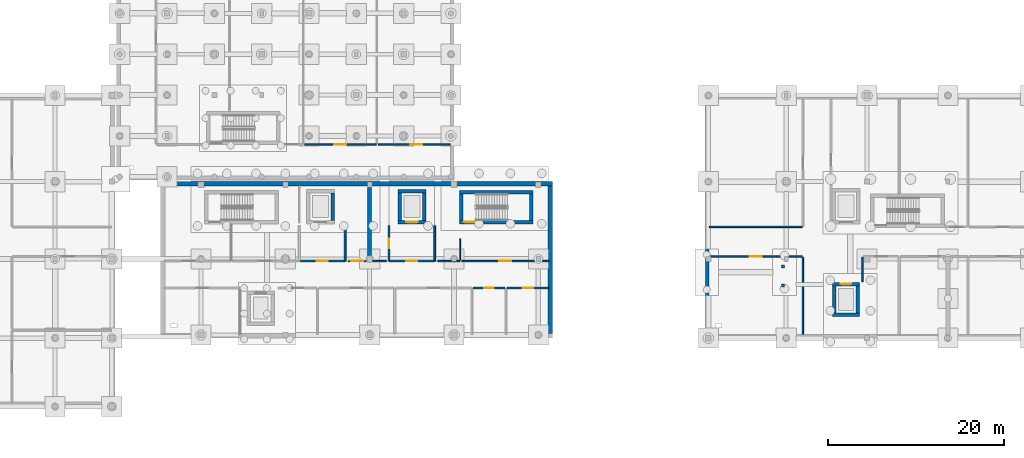
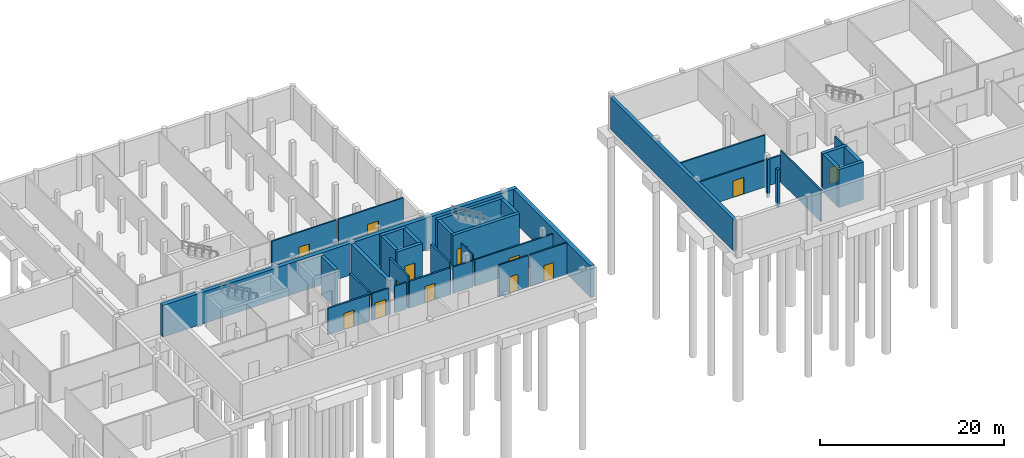
# One storey, part 8 of 14: 37 walls, 13 doors, 13 openings.
"""IFC4 building model written with IfcOpenShell, lengths in metres."""

from ifc_helpers import new_model, si_unit, direction, frame, frame_2d, origin, place, context, subcontext, project, spatial, rectangle, extrude, material, layer, layer_set, type_object, element, fill, save


model = new_model("IFC4")

# Units and contexts
model_context = context("Model", 3, precision=1e-05, world=origin(), true_north=direction((0.0, 1.0)))
body_context = subcontext(model_context, "Body", "Model", "MODEL_VIEW")
ifc_project = project(units=[si_unit("LENGTHUNIT", "METRE"), si_unit("AREAUNIT", "SQUARE_METRE"), si_unit("VOLUMEUNIT", "CUBIC_METRE"), si_unit("PLANEANGLEUNIT", "RADIAN"), si_unit("MASSUNIT", "GRAM", prefix="KILO")], contexts=[model_context])

# Site, building, storey
site_placement = place(None, origin())
site = spatial("IfcSite", under=ifc_project, at=site_placement, CompositionType="ELEMENT")
building_placement = place(site_placement, origin())
building = spatial("IfcBuilding", under=site, at=building_placement, Name="Birchvale Park Specialist Clinic", CompositionType="ELEMENT")
storey_placement = place(building_placement, frame((0.0, 0.0, -4.5)))
storey = spatial("IfcBuildingStorey", under=building, at=storey_placement, Name="B1", CompositionType="ELEMENT", Elevation=-4.5)

# Wall, opening, door
ifc_material_1 = material(Name="Concrete C40/50", Category="concrete")
ifc_layer_1 = layer(ifc_material_1, 0.39990234375)
ifc_layer_set_1 = layer_set([ifc_layer_1], Name="Concrete C40/50")
wall_type_1 = type_object("IfcWallType", Name="WL-CW-120", PredefinedType="SHEAR", material=ifc_layer_set_1)
wall_1_placement = place(storey_placement, frame((90.800048828125, 30.0, -0.550048828125), z_axis=(0.0, 0.0, 1.0), x_axis=(1.0, 0.0, 0.0)))
wall_1 = element("IfcWall", 1, at=wall_1_placement, inside=storey, type_object=wall_type_1, Name="B1 stair ST5 EI 120 enclosure wall (south)", PredefinedType="SHEAR", context=body_context, shape_type="SweptSolid", body=[
    extrude(rectangle(XDim=8.39990234375, YDim=0.39990234375, at=frame_2d((4.199951171875, 0.0))), origin(), (0.0, 0.0, 1.0), 4.77001953125),
])
opening_1_placement = place(wall_1_placement, frame((0.52001953125, 0.0, 0.550048828125)))
opening_1 = element("IfcOpeningElement", 2, at=opening_1_placement, cuts=wall_1, Name="Opening ID-FD60", PredefinedType="OPENING", context=body_context, shape_type="SweptSolid", body=[
    extrude(rectangle(XDim=1.25, YDim=2.199951171875, at=frame_2d((0.625, 1.10009765625))), frame((0.0, 0.2099609375, 0.0), z_axis=(0.0, -1.0, 0.0), x_axis=(1.0, 0.0, 0.0)), (0.0, 0.0, 1.0), 0.419921875),
])
ifc_material_2 = material(Name="Solid-core birch veneer and anodised aluminium", Category="aluminium")
door_type_1 = type_object("IfcDoorType", Name="DR-ID-FD60", OperationType="NOTDEFINED", PredefinedType="DOOR", material=ifc_material_2)
door_1_placement = place(opening_1_placement, origin())
door_1 = element("IfcDoor", 3, at=door_1_placement, inside=storey, type_object=door_type_1, Name="B1 stair ST5 fire door", OperationType="SINGLE_SWING_LEFT", OverallHeight=2.199951171875, OverallWidth=1.25, PredefinedType="DOOR", context=body_context, shape_type="SweptSolid", body=[
    extrude(rectangle(XDim=1.25, YDim=2.199951171875, at=frame_2d((0.625, 1.10009765625))), frame((0.0, 0.02490234375, 0.0), z_axis=(0.0, -1.0, 0.0), x_axis=(1.0, 0.0, 0.0)), (0.0, 0.0, 1.0), 0.050048828125),
])
fill(opening_1, door_1)

# Walls
wall_2_placement = place(storey_placement, frame((99.199951171875, 33.39990234375, -0.550048828125), z_axis=(0.0, 0.0, 1.0), x_axis=(-1.0, 0.0, 0.0)))
element("IfcWall", 4, at=wall_2_placement, inside=storey, type_object=wall_type_1, Name="B1 stair ST5 EI 120 enclosure wall (north)", PredefinedType="SHEAR", context=body_context, shape_type="SweptSolid", body=[
    extrude(rectangle(XDim=8.39990234375, YDim=0.39990234375, at=frame_2d((4.199951171875, 0.0))), origin(), (0.0, 0.0, 1.0), 4.77001953125),
])
for number, where, z_axis, x_axis, name in (
    (5, (91.0, 30.199951171875, -0.550048828125), (0.0, 0.0, 1.0), (0.0, 1.0, 0.0), "B1 stair ST5 EI 120 enclosure wall (west)"),
    (6, (99.0, 33.199951171875, -0.550048828125), (0.0, 0.0, 1.0), (0.0, -1.0, 0.0), "B1 stair ST5 EI 120 enclosure wall (east)"),
):
    element("IfcWall", number, at=place(storey_placement, frame(where, z_axis=z_axis, x_axis=x_axis)), inside=storey, type_object=wall_type_1, Name=name, PredefinedType="SHEAR", context=body_context, shape_type="SweptSolid", body=[
        extrude(rectangle(XDim=3.0, YDim=0.39990234375, at=frame_2d((1.5, 0.0))), origin(), (0.0, 0.0, 1.0), 4.77001953125),
    ])
wall_3_placement = place(storey_placement, frame((76.39990234375, 33.300048828125, -0.550048828125), z_axis=(0.0, 0.0, 1.0), x_axis=(0.0, -1.0, 0.0)))
element("IfcWall", 7, at=wall_3_placement, inside=storey, type_object=wall_type_1, Name="B1 lift LF1 shaft wall (east)", PredefinedType="SHEAR", context=body_context, shape_type="SweptSolid", body=[
    extrude(rectangle(XDim=3.10009765625, YDim=0.39990234375, at=frame_2d((1.550048828125, 0.0))), origin(), (0.0, 0.0, 1.0), 5.050048828125),
])

# Wall, opening, door
wall_4_placement = place(storey_placement, frame((83.800048828125, 30.0, -0.550048828125), z_axis=(0.0, 0.0, 1.0), x_axis=(1.0, 0.0, 0.0)))
wall_4 = element("IfcWall", 8, at=wall_4_placement, inside=storey, type_object=wall_type_1, Name="B1 lift LF2 shaft wall (south)", PredefinedType="SHEAR", context=body_context, shape_type="SweptSolid", body=[
    extrude(rectangle(XDim=3.199951171875, YDim=0.39990234375, at=frame_2d((1.60009765625, 0.0))), origin(), (0.0, 0.0, 1.0), 5.050048828125),
])
opening_2_placement = place(wall_4_placement, frame((0.949951171875, 0.0, 0.550048828125)))
opening_2 = element("IfcOpeningElement", 9, at=opening_2_placement, cuts=wall_4, Name="Opening LD-02", PredefinedType="OPENING", context=body_context, shape_type="SweptSolid", body=[
    extrude(rectangle(XDim=1.300048828125, YDim=2.25, at=frame_2d((0.64990234375, 1.125))), frame((0.0, 0.2099609375, 0.0), z_axis=(0.0, -1.0, 0.0), x_axis=(1.0, 0.0, 0.0)), (0.0, 0.0, 1.0), 0.419921875),
])
door_type_2 = type_object("IfcDoorType", Name="DR-LD-02", OperationType="DOUBLE_DOOR_SLIDING", PredefinedType="DOOR", material=ifc_material_2)
door_2_placement = place(opening_2_placement, origin())
door_2 = element("IfcDoor", 10, at=door_2_placement, inside=storey, type_object=door_type_2, Name="B1 lift LF2 sliding landing door", OperationType="DOUBLE_DOOR_SLIDING", OverallHeight=2.25, OverallWidth=1.300048828125, PredefinedType="DOOR", context=body_context, shape_type="SweptSolid", body=[
    extrude(rectangle(XDim=1.300048828125, YDim=2.25, at=frame_2d((0.64990234375, 1.125))), frame((0.0, 0.02490234375, 0.0), z_axis=(0.0, -1.0, 0.0), x_axis=(1.0, 0.0, 0.0)), (0.0, 0.0, 1.0), 0.050048828125),
])
fill(opening_2, door_2)

# Walls
wall_5_placement = place(storey_placement, frame((87.0, 33.5, -0.550048828125), z_axis=(0.0, 0.0, 1.0), x_axis=(-1.0, 0.0, 0.0)))
element("IfcWall", 11, at=wall_5_placement, inside=storey, type_object=wall_type_1, Name="B1 lift LF2 shaft wall (north)", PredefinedType="SHEAR", context=body_context, shape_type="SweptSolid", body=[
    extrude(rectangle(XDim=3.199951171875, YDim=0.39990234375, at=frame_2d((1.60009765625, 0.0))), origin(), (0.0, 0.0, 1.0), 5.050048828125),
])
for number, where, z_axis, x_axis, name in (
    (12, (84.0, 30.199951171875, -0.550048828125), (0.0, 0.0, 1.0), (0.0, 1.0, 0.0), "B1 lift LF2 shaft wall (west)"),
    (13, (86.800048828125, 33.300048828125, -0.550048828125), (0.0, 0.0, 1.0), (0.0, -1.0, 0.0), "B1 lift LF2 shaft wall (east)"),
    (14, (133.25, 19.449951171875, -0.550048828125), (0.0, 0.0, 1.0), (1.0, 0.0, 0.0), "B1 lift LP4 shaft wall (south)"),
):
    element("IfcWall", number, at=place(storey_placement, frame(where, z_axis=z_axis, x_axis=x_axis)), inside=storey, type_object=wall_type_1, Name=name, PredefinedType="SHEAR", context=body_context, shape_type="SweptSolid", body=[
        extrude(rectangle(XDim=3.10009765625, YDim=0.39990234375, at=frame_2d((1.550048828125, 0.0))), origin(), (0.0, 0.0, 1.0), 5.050048828125),
    ])

# Wall, opening, door
wall_6_placement = place(storey_placement, frame((136.35009765625, 22.949951171875, -0.550048828125), z_axis=(0.0, 0.0, 1.0), x_axis=(-1.0, 0.0, 0.0)))
wall_6 = element("IfcWall", 15, at=wall_6_placement, inside=storey, type_object=wall_type_1, Name="B1 lift LP4 shaft wall (north)", PredefinedType="SHEAR", context=body_context, shape_type="SweptSolid", body=[
    extrude(rectangle(XDim=3.10009765625, YDim=0.39990234375, at=frame_2d((1.550048828125, 0.0))), origin(), (0.0, 0.0, 1.0), 5.050048828125),
])
opening_3_placement = place(wall_6_placement, frame((0.949951171875, 0.0, 0.550048828125)))
opening_3 = element("IfcOpeningElement", 16, at=opening_3_placement, cuts=wall_6, Name="Opening LD-01", PredefinedType="OPENING", context=body_context, shape_type="SweptSolid", body=[
    extrude(rectangle(XDim=1.199951171875, YDim=2.199951171875, at=frame_2d((0.60009765625, 1.10009765625))), frame((0.0, 0.2099609375, 0.0), z_axis=(0.0, -1.0, 0.0), x_axis=(1.0, 0.0, 0.0)), (0.0, 0.0, 1.0), 0.419921875),
])
door_type_3 = type_object("IfcDoorType", Name="DR-LD-01", OperationType="DOUBLE_DOOR_SLIDING", PredefinedType="DOOR", material=ifc_material_2)
door_3_placement = place(opening_3_placement, origin())
door_3 = element("IfcDoor", 17, at=door_3_placement, inside=storey, type_object=door_type_3, Name="B1 lift LP4 sliding landing door", OperationType="DOUBLE_DOOR_SLIDING", OverallHeight=2.199951171875, OverallWidth=1.199951171875, PredefinedType="DOOR", context=body_context, shape_type="SweptSolid", body=[
    extrude(rectangle(XDim=1.199951171875, YDim=2.199951171875, at=frame_2d((0.60009765625, 1.10009765625))), frame((0.0, 0.02490234375, 0.0), z_axis=(0.0, -1.0, 0.0), x_axis=(1.0, 0.0, 0.0)), (0.0, 0.0, 1.0), 0.050048828125),
])
fill(opening_3, door_3)

# Walls
for number, where, z_axis, x_axis, name in (
    (18, (133.449951171875, 19.64990234375, -0.550048828125), (0.0, 0.0, 1.0), (0.0, 1.0, 0.0), "B1 lift LP4 shaft wall (west)"),
    (19, (136.14990234375, 22.75, -0.550048828125), (0.0, 0.0, 1.0), (0.0, -1.0, 0.0), "B1 lift LP4 shaft wall (east)"),
):
    element("IfcWall", number, at=place(storey_placement, frame(where, z_axis=z_axis, x_axis=x_axis)), inside=storey, type_object=wall_type_1, Name=name, PredefinedType="SHEAR", context=body_context, shape_type="SweptSolid", body=[
        extrude(rectangle(XDim=3.10009765625, YDim=0.39990234375, at=frame_2d((1.550048828125, 0.0))), origin(), (0.0, 0.0, 1.0), 5.050048828125),
    ])
ifc_material_3 = material(Name="Acoustic gypsum board on metal framing")
ifc_layer_2 = layer(ifc_material_3, 0.139892578125)
ifc_layer_set_2 = layer_set([ifc_layer_2], Name="Acoustic gypsum board on metal framing")
wall_type_2 = type_object("IfcWallType", Name="WL-IW-03", PredefinedType="PARTITIONING", material=ifc_layer_set_2)
wall_7_placement = place(storey_placement, frame((90.919921875, 28.1201171875, 0.0), z_axis=(0.0, 0.0, 1.0), x_axis=(0.0, -1.0, 0.0)))
element("IfcWall", 20, at=wall_7_placement, inside=storey, type_object=wall_type_2, Name="V4 B1 clinical partition 46", PredefinedType="PARTITIONING", context=body_context, shape_type="SweptSolid", body=[
    extrude(rectangle(XDim=2.490234375, YDim=0.139892578125, at=frame_2d((1.2451171875, 0.0))), origin(), (0.0, 0.0, 1.0), 4.219970703125),
])

# Wall, opening, door
ifc_layer_3 = layer(ifc_material_3, 0.219970703125)
ifc_layer_set_3 = layer_set([ifc_layer_3], Name="Acoustic gypsum board on metal framing")
wall_type_3 = type_object("IfcWallType", Name="WL-IW-120", PredefinedType="PARTITIONING", material=ifc_layer_set_3)
wall_8_placement = place(storey_placement, frame((72.60009765625, 25.550048828125, 0.0), z_axis=(0.0, 0.0, 1.0), x_axis=(1.0, 0.0, 0.0)))
wall_8 = element("IfcWall", 21, at=wall_8_placement, inside=storey, type_object=wall_type_3, Name="B1 firefighting lift lobby K4 EI 120 wall (south)", PredefinedType="PARTITIONING", context=body_context, shape_type="SweptSolid", body=[
    extrude(rectangle(XDim=5.199951171875, YDim=0.219970703125, at=frame_2d((2.60009765625, 0.0))), origin(), (0.0, 0.0, 1.0), 3.554931640625),
])
opening_4_placement = place(wall_8_placement, frame((1.97509765625, 0.0, 0.0)))
opening_4 = element("IfcOpeningElement", 22, at=opening_4_placement, cuts=wall_8, Name="Opening ID-FD60", PredefinedType="OPENING", context=body_context, shape_type="SweptSolid", body=[
    extrude(rectangle(XDim=1.25, YDim=2.199951171875, at=frame_2d((0.625, 1.10009765625))), frame((0.0, 0.1201171875, 0.0), z_axis=(0.0, -1.0, 0.0), x_axis=(1.0, 0.0, 0.0)), (0.0, 0.0, 1.0), 0.239990234375),
])
door_4_placement = place(opening_4_placement, origin())
door_4 = element("IfcDoor", 23, at=door_4_placement, inside=storey, type_object=door_type_1, Name="B1 firefighting lobby K4 fire door", OperationType="SINGLE_SWING_RIGHT", OverallHeight=2.199951171875, OverallWidth=1.25, PredefinedType="DOOR", context=body_context, shape_type="SweptSolid", body=[
    extrude(rectangle(XDim=1.25, YDim=2.199951171875, at=frame_2d((0.625, 1.10009765625))), frame((0.0, 0.02490234375, 0.0), z_axis=(0.0, -1.0, 0.0), x_axis=(1.0, 0.0, 0.0)), (0.0, 0.0, 1.0), 0.050048828125),
])
fill(opening_4, door_4)

# Wall
wall_9_placement = place(storey_placement, frame((77.800048828125, 25.550048828125, 0.0), z_axis=(0.0, 0.0, 1.0), x_axis=(0.0, 1.0, 0.0)))
element("IfcWall", 24, at=wall_9_placement, inside=storey, type_object=wall_type_3, Name="B1 firefighting lift lobby K4 EI 120 wall (east)", PredefinedType="PARTITIONING", context=body_context, shape_type="SweptSolid", body=[
    extrude(rectangle(XDim=4.050048828125, YDim=0.219970703125, at=frame_2d((2.02490234375, 0.0))), origin(), (0.0, 0.0, 1.0), 3.943115234375),
])

# Wall, opening, door
wall_10_placement = place(storey_placement, frame((82.800048828125, 29.60009765625, 0.0), z_axis=(0.0, 0.0, 1.0), x_axis=(0.0, -1.0, 0.0)))
wall_10 = element("IfcWall", 25, at=wall_10_placement, inside=storey, type_object=wall_type_3, Name="B1 firefighting lift lobby K5 EI 120 wall (west)", PredefinedType="PARTITIONING", context=body_context, shape_type="SweptSolid", body=[
    extrude(rectangle(XDim=4.050048828125, YDim=0.219970703125, at=frame_2d((2.02490234375, 0.0))), origin(), (0.0, 0.0, 1.0), 4.219970703125),
])
opening_5_placement = place(wall_10_placement, frame((1.485107421875, 0.0, 0.0)))
opening_5 = element("IfcOpeningElement", 26, at=opening_5_placement, cuts=wall_10, Name="Opening ID-03", PredefinedType="OPENING", context=body_context, shape_type="SweptSolid", body=[
    extrude(rectangle(XDim=1.080078125, YDim=2.199951171875, at=frame_2d((0.5400390625, 1.10009765625))), frame((0.0, 0.1201171875, 0.0), z_axis=(0.0, -1.0, 0.0), x_axis=(1.0, 0.0, 0.0)), (0.0, 0.0, 1.0), 0.239990234375),
])
door_type_4 = type_object("IfcDoorType", Name="DR-ID-03", OperationType="NOTDEFINED", PredefinedType="DOOR", material=ifc_material_2)
door_5_placement = place(opening_5_placement, origin())
door_5 = element("IfcDoor", 27, at=door_5_placement, inside=storey, type_object=door_type_4, Name="V4 B1 clinical suite door 121", OperationType="SINGLE_SWING_LEFT", OverallHeight=2.199951171875, OverallWidth=1.080078125, PredefinedType="DOOR", context=body_context, shape_type="SweptSolid", body=[
    extrude(rectangle(XDim=1.080078125, YDim=2.199951171875, at=frame_2d((0.5400390625, 1.10009765625))), frame((0.0, 0.02490234375, 0.0), z_axis=(0.0, -1.0, 0.0), x_axis=(1.0, 0.0, 0.0)), (0.0, 0.0, 1.0), 0.050048828125),
])
fill(opening_5, door_5)

wall_11_placement = place(storey_placement, frame((82.800048828125, 25.550048828125, 0.0), z_axis=(0.0, 0.0, 1.0), x_axis=(1.0, 0.0, 0.0)))
wall_11 = element("IfcWall", 28, at=wall_11_placement, inside=storey, type_object=wall_type_3, Name="B1 firefighting lift lobby K5 EI 120 wall (south)", PredefinedType="PARTITIONING", context=body_context, shape_type="SweptSolid", body=[
    extrude(rectangle(XDim=5.199951171875, YDim=0.219970703125, at=frame_2d((2.60009765625, 0.0))), origin(), (0.0, 0.0, 1.0), 3.554931640625),
])
opening_6_placement = place(wall_11_placement, frame((1.97509765625, 0.0, 0.0)))
opening_6 = element("IfcOpeningElement", 29, at=opening_6_placement, cuts=wall_11, Name="Opening ID-FD60", PredefinedType="OPENING", context=body_context, shape_type="SweptSolid", body=[
    extrude(rectangle(XDim=1.25, YDim=2.199951171875, at=frame_2d((0.625, 1.10009765625))), frame((0.0, 0.1201171875, 0.0), z_axis=(0.0, -1.0, 0.0), x_axis=(1.0, 0.0, 0.0)), (0.0, 0.0, 1.0), 0.239990234375),
])
door_6_placement = place(opening_6_placement, origin())
door_6 = element("IfcDoor", 30, at=door_6_placement, inside=storey, type_object=door_type_1, Name="B1 firefighting lobby K5 fire door", OperationType="SINGLE_SWING_LEFT", OverallHeight=2.199951171875, OverallWidth=1.25, PredefinedType="DOOR", context=body_context, shape_type="SweptSolid", body=[
    extrude(rectangle(XDim=1.25, YDim=2.199951171875, at=frame_2d((0.625, 1.10009765625))), frame((0.0, 0.02490234375, 0.0), z_axis=(0.0, -1.0, 0.0), x_axis=(1.0, 0.0, 0.0)), (0.0, 0.0, 1.0), 0.050048828125),
])
fill(opening_6, door_6)

# Wall
wall_12_placement = place(storey_placement, frame((88.0, 25.550048828125, 0.0), z_axis=(0.0, 0.0, 1.0), x_axis=(0.0, 1.0, 0.0)))
element("IfcWall", 31, at=wall_12_placement, inside=storey, type_object=wall_type_3, Name="B1 firefighting lift lobby K5 EI 120 wall (east)", PredefinedType="PARTITIONING", context=body_context, shape_type="SweptSolid", body=[
    extrude(rectangle(XDim=4.050048828125, YDim=0.219970703125, at=frame_2d((2.02490234375, 0.0))), origin(), (0.0, 0.0, 1.0), 4.219970703125),
])

# Wall, opening, door
ifc_layer_4 = layer(ifc_material_3, 0.179931640625)
ifc_layer_set_4 = layer_set([ifc_layer_4], Name="Acoustic gypsum board on metal framing")
wall_type_4 = type_object("IfcWallType", Name="WL-IW-60", PredefinedType="PARTITIONING", material=ifc_layer_set_4)
wall_13_placement = place(storey_placement, frame((81.3349609375, 38.85009765625, 0.0), z_axis=(0.0, 0.0, 1.0), x_axis=(-1.0, 0.0, 0.0)))
wall_13 = element("IfcWall", 32, at=wall_13_placement, inside=storey, type_object=wall_type_4, Name="V1 B1 clinical partition 7", PredefinedType="PARTITIONING", context=body_context, shape_type="SweptSolid", body=[
    extrude(rectangle(XDim=8.14501953125, YDim=0.179931640625, at=frame_2d((4.072509765625, 0.0))), origin(), (0.0, 0.0, 1.0), 4.179931640625),
])
opening_7_placement = place(wall_13_placement, frame((3.3974609375, 0.0, 0.0)))
opening_7 = element("IfcOpeningElement", 33, at=opening_7_placement, cuts=wall_13, Name="Opening ID-FD30", PredefinedType="OPENING", context=body_context, shape_type="SweptSolid", body=[
    extrude(rectangle(XDim=1.35009765625, YDim=2.199951171875, at=frame_2d((0.675048828125, 1.10009765625))), frame((0.0, 0.10009765625, 0.0), z_axis=(0.0, -1.0, 0.0), x_axis=(1.0, 0.0, 0.0)), (0.0, 0.0, 1.0), 0.199951171875),
])
door_type_5 = type_object("IfcDoorType", Name="DR-ID-FD30", OperationType="NOTDEFINED", PredefinedType="DOOR", material=ifc_material_2)
door_7_placement = place(opening_7_placement, origin())
door_7 = element("IfcDoor", 34, at=door_7_placement, inside=storey, type_object=door_type_5, Name="B1 Central MEP Plant Room door", OperationType="SINGLE_SWING_RIGHT", OverallHeight=2.199951171875, OverallWidth=1.35009765625, PredefinedType="DOOR", context=body_context, shape_type="SweptSolid", body=[
    extrude(rectangle(XDim=1.35009765625, YDim=2.199951171875, at=frame_2d((0.675048828125, 1.10009765625))), frame((0.0, 0.02490234375, 0.0), z_axis=(0.0, -1.0, 0.0), x_axis=(1.0, 0.0, 0.0)), (0.0, 0.0, 1.0), 0.050048828125),
])
fill(opening_7, door_7)

wall_14_placement = place(storey_placement, frame((89.760009765625, 38.85009765625, 0.0), z_axis=(0.0, 0.0, 1.0), x_axis=(-1.0, 0.0, 0.0)))
wall_14 = element("IfcWall", 35, at=wall_14_placement, inside=storey, type_object=wall_type_4, Name="V1 B1 clinical partition 8", PredefinedType="PARTITIONING", context=body_context, shape_type="SweptSolid", body=[
    extrude(rectangle(XDim=8.18505859375, YDim=0.179931640625, at=frame_2d((4.092529296875, 0.0))), origin(), (0.0, 0.0, 1.0), 4.179931640625),
])
opening_8_placement = place(wall_14_placement, frame((3.16748046875, 0.0, 0.0)))
opening_8 = element("IfcOpeningElement", 36, at=opening_8_placement, cuts=wall_14, Name="Opening ID-FD30", PredefinedType="OPENING", context=body_context, shape_type="SweptSolid", body=[
    extrude(rectangle(XDim=1.35009765625, YDim=2.199951171875, at=frame_2d((0.675048828125, 1.10009765625))), frame((0.0, 0.10009765625, 0.0), z_axis=(0.0, -1.0, 0.0), x_axis=(1.0, 0.0, 0.0)), (0.0, 0.0, 1.0), 0.199951171875),
])
door_8_placement = place(opening_8_placement, origin())
door_8 = element("IfcDoor", 37, at=door_8_placement, inside=storey, type_object=door_type_5, Name="B1 Medical Gas Manifold Room door", OperationType="SINGLE_SWING_LEFT", OverallHeight=2.199951171875, OverallWidth=1.35009765625, PredefinedType="DOOR", context=body_context, shape_type="SweptSolid", body=[
    extrude(rectangle(XDim=1.35009765625, YDim=2.199951171875, at=frame_2d((0.675048828125, 1.10009765625))), frame((0.0, 0.02490234375, 0.0), z_axis=(0.0, -1.0, 0.0), x_axis=(1.0, 0.0, 0.0)), (0.0, 0.0, 1.0), 0.050048828125),
])
fill(opening_8, door_8)

wall_15_placement = place(storey_placement, frame((92.384033203125, 22.5, 0.0), z_axis=(0.0, 0.0, 1.0), x_axis=(1.0, 0.0, 0.0)))
wall_15 = element("IfcWall", 38, at=wall_15_placement, inside=storey, type_object=wall_type_4, Name="V4 B1 clinical partition 38", PredefinedType="PARTITIONING", context=body_context, shape_type="SweptSolid", body=[
    extrude(rectangle(XDim=3.639892578125, YDim=0.179931640625, at=frame_2d((1.81982421875, 0.0))), origin(), (0.0, 0.0, 1.0), 4.219970703125),
])
opening_9_placement = place(wall_15_placement, frame((1.280029296875, 0.0, 0.0)))
opening_9 = element("IfcOpeningElement", 39, at=opening_9_placement, cuts=wall_15, Name="Opening ID-03", PredefinedType="OPENING", context=body_context, shape_type="SweptSolid", body=[
    extrude(rectangle(XDim=1.080078125, YDim=2.199951171875, at=frame_2d((0.5400390625, 1.10009765625))), frame((0.0, 0.10009765625, 0.0), z_axis=(0.0, -1.0, 0.0), x_axis=(1.0, 0.0, 0.0)), (0.0, 0.0, 1.0), 0.199951171875),
])
door_9_placement = place(opening_9_placement, origin())
door_9 = element("IfcDoor", 40, at=door_9_placement, inside=storey, type_object=door_type_4, Name="B1 Accessible Staff WC door", OperationType="SINGLE_SWING_RIGHT", OverallHeight=2.199951171875, OverallWidth=1.080078125, PredefinedType="DOOR", context=body_context, shape_type="SweptSolid", body=[
    extrude(rectangle(XDim=1.080078125, YDim=2.199951171875, at=frame_2d((0.5400390625, 1.10009765625))), frame((0.0, 0.02490234375, 0.0), z_axis=(0.0, -1.0, 0.0), x_axis=(1.0, 0.0, 0.0)), (0.0, 0.0, 1.0), 0.050048828125),
])
fill(opening_9, door_9)

wall_16_placement = place(storey_placement, frame((96.263916015625, 22.5, 0.0), z_axis=(0.0, 0.0, 1.0), x_axis=(1.0, 0.0, 0.0)))
wall_16 = element("IfcWall", 41, at=wall_16_placement, inside=storey, type_object=wall_type_4, Name="V4 B1 clinical partition 39", PredefinedType="PARTITIONING", context=body_context, shape_type="SweptSolid", body=[
    extrude(rectangle(XDim=4.696044921875, YDim=0.179931640625, at=frame_2d((2.34814453125, 0.0))), origin(), (0.0, 0.0, 1.0), 4.219970703125),
])
opening_10_placement = place(wall_16_placement, frame((1.758056640625, 0.0, 0.0)))
opening_10 = element("IfcOpeningElement", 42, at=opening_10_placement, cuts=wall_16, Name="Opening ID-ST60", PredefinedType="OPENING", context=body_context, shape_type="SweptSolid", body=[
    extrude(rectangle(XDim=1.179931640625, YDim=2.179931640625, at=frame_2d((0.58984375, 1.08984375))), frame((0.0, 0.10009765625, 0.0), z_axis=(0.0, -1.0, 0.0), x_axis=(1.0, 0.0, 0.0)), (0.0, 0.0, 1.0), 0.199951171875),
])
door_type_6 = type_object("IfcDoorType", Name="DR-ID-ST60", OperationType="NOTDEFINED", PredefinedType="DOOR", material=ifc_material_2)
door_10_placement = place(opening_10_placement, origin())
door_10 = element("IfcDoor", 43, at=door_10_placement, inside=storey, type_object=door_type_6, Name="B1 Biomedical Equipment Store door", OperationType="SINGLE_SWING_LEFT", OverallHeight=2.179931640625, OverallWidth=1.179931640625, PredefinedType="DOOR", context=body_context, shape_type="SweptSolid", body=[
    extrude(rectangle(XDim=1.179931640625, YDim=2.179931640625, at=frame_2d((0.58984375, 1.08984375))), frame((0.0, 0.02490234375, 0.0), z_axis=(0.0, -1.0, 0.0), x_axis=(1.0, 0.0, 0.0)), (0.0, 0.0, 1.0), 0.050048828125),
])
fill(opening_10, door_10)

wall_17_placement = place(storey_placement, frame((80.239990234375, 25.550048828125, 0.0), z_axis=(0.0, 0.0, 1.0), x_axis=(-1.0, 0.0, 0.0)))
wall_17 = element("IfcWall", 44, at=wall_17_placement, inside=storey, type_object=wall_type_4, Name="V4 B1 clinical partition 44", PredefinedType="PARTITIONING", context=body_context, shape_type="SweptSolid", body=[
    extrude(rectangle(XDim=2.119873046875, YDim=0.179931640625, at=frame_2d((1.06005859375, 0.0))), origin(), (0.0, 0.0, 1.0), 3.554931640625),
])
opening_11_placement = place(wall_17_placement, frame((0.385009765625, 0.0, 0.0)))
opening_11 = element("IfcOpeningElement", 45, at=opening_11_placement, cuts=wall_17, Name="Opening ID-FD30", PredefinedType="OPENING", context=body_context, shape_type="SweptSolid", body=[
    extrude(rectangle(XDim=1.35009765625, YDim=2.199951171875, at=frame_2d((0.675048828125, 1.10009765625))), frame((0.0, 0.10009765625, 0.0), z_axis=(0.0, -1.0, 0.0), x_axis=(1.0, 0.0, 0.0)), (0.0, 0.0, 1.0), 0.199951171875),
])
door_11_placement = place(opening_11_placement, origin())
door_11 = element("IfcDoor", 46, at=door_11_placement, inside=storey, type_object=door_type_5, Name="B1 Sterile Supply Store door", OperationType="SINGLE_SWING_RIGHT", OverallHeight=2.199951171875, OverallWidth=1.35009765625, PredefinedType="DOOR", context=body_context, shape_type="SweptSolid", body=[
    extrude(rectangle(XDim=1.35009765625, YDim=2.199951171875, at=frame_2d((0.675048828125, 1.10009765625))), frame((0.0, 0.02490234375, 0.0), z_axis=(0.0, -1.0, 0.0), x_axis=(1.0, 0.0, 0.0)), (0.0, 0.0, 1.0), 0.050048828125),
])
fill(opening_11, door_11)

# Walls
wall_18_placement = place(storey_placement, frame((82.47998046875, 25.550048828125, 0.0), z_axis=(0.0, 0.0, 1.0), x_axis=(-1.0, 0.0, 0.0)))
element("IfcWall", 47, at=wall_18_placement, inside=storey, type_object=wall_type_4, Name="V4 B1 clinical partition 45", PredefinedType="PARTITIONING", context=body_context, shape_type="SweptSolid", body=[
    extrude(rectangle(XDim=1.52001953125, YDim=0.179931640625, at=frame_2d((0.760009765625, 0.0))), origin(), (0.0, 0.0, 1.0), 3.554931640625),
])
wall_19_placement = place(storey_placement, frame((90.840087890625, 25.550048828125, 0.0), z_axis=(0.0, 0.0, 1.0), x_axis=(-1.0, 0.0, 0.0)))
element("IfcWall", 48, at=wall_19_placement, inside=storey, type_object=wall_type_4, Name="V4 B1 clinical partition 47", PredefinedType="PARTITIONING", context=body_context, shape_type="SweptSolid", body=[
    extrude(rectangle(XDim=2.52001953125, YDim=0.179931640625, at=frame_2d((1.260009765625, 0.0))), origin(), (0.0, 0.0, 1.0), 3.52490234375),
])

# Wall, opening, door
wall_20_placement = place(storey_placement, frame((100.9599609375, 25.550048828125, 0.0), z_axis=(0.0, 0.0, 1.0), x_axis=(-1.0, 0.0, 0.0)))
wall_20 = element("IfcWall", 49, at=wall_20_placement, inside=storey, type_object=wall_type_4, Name="V4 B1 clinical partition 48", PredefinedType="PARTITIONING", context=body_context, shape_type="SweptSolid", body=[
    extrude(rectangle(XDim=9.8798828125, YDim=0.179931640625, at=frame_2d((4.93994140625, 0.0))), origin(), (0.0, 0.0, 1.0), 3.52490234375),
])
opening_12_placement = place(wall_20_placement, frame((4.264892578125, 0.0, 0.0)))
opening_12 = element("IfcOpeningElement", 50, at=opening_12_placement, cuts=wall_20, Name="Opening ID-FD30", PredefinedType="OPENING", context=body_context, shape_type="SweptSolid", body=[
    extrude(rectangle(XDim=1.35009765625, YDim=2.199951171875, at=frame_2d((0.675048828125, 1.10009765625))), frame((0.0, 0.10009765625, 0.0), z_axis=(0.0, -1.0, 0.0), x_axis=(1.0, 0.0, 0.0)), (0.0, 0.0, 1.0), 0.199951171875),
])
door_12_placement = place(opening_12_placement, origin())
door_12 = element("IfcDoor", 51, at=door_12_placement, inside=storey, type_object=door_type_5, Name="B1 Medical Gas Manifold Room door", OperationType="SINGLE_SWING_RIGHT", OverallHeight=2.199951171875, OverallWidth=1.35009765625, PredefinedType="DOOR", context=body_context, shape_type="SweptSolid", body=[
    extrude(rectangle(XDim=1.35009765625, YDim=2.199951171875, at=frame_2d((0.675048828125, 1.10009765625))), frame((0.0, 0.02490234375, 0.0), z_axis=(0.0, -1.0, 0.0), x_axis=(1.0, 0.0, 0.0)), (0.0, 0.0, 1.0), 0.050048828125),
])
fill(opening_12, door_12)

wall_21_placement = place(storey_placement, frame((119.239990234375, 26.10009765625, 0.0), z_axis=(0.0, 0.0, 1.0), x_axis=(1.0, 0.0, 0.0)))
wall_21 = element("IfcWall", 52, at=wall_21_placement, inside=storey, type_object=wall_type_4, Name="V5 B1 clinical partition 49", PredefinedType="PARTITIONING", context=body_context, shape_type="SweptSolid", body=[
    extrude(rectangle(XDim=10.580078125, YDim=0.179931640625, at=frame_2d((5.2900390625, 0.0))), origin(), (0.0, 0.0, 1.0), 3.534912109375),
])
opening_13_placement = place(wall_21_placement, frame((4.614990234375, 0.0, 0.0)))
opening_13 = element("IfcOpeningElement", 53, at=opening_13_placement, cuts=wall_21, Name="Opening ID-FD30", PredefinedType="OPENING", context=body_context, shape_type="SweptSolid", body=[
    extrude(rectangle(XDim=1.35009765625, YDim=2.199951171875, at=frame_2d((0.675048828125, 1.10009765625))), frame((0.0, 0.10009765625, 0.0), z_axis=(0.0, -1.0, 0.0), x_axis=(1.0, 0.0, 0.0)), (0.0, 0.0, 1.0), 0.199951171875),
])
door_13_placement = place(opening_13_placement, origin())
door_13 = element("IfcDoor", 54, at=door_13_placement, inside=storey, type_object=door_type_5, Name="B1 Sterile Supply Store door", OperationType="SINGLE_SWING_LEFT", OverallHeight=2.199951171875, OverallWidth=1.35009765625, PredefinedType="DOOR", context=body_context, shape_type="SweptSolid", body=[
    extrude(rectangle(XDim=1.35009765625, YDim=2.199951171875, at=frame_2d((0.675048828125, 1.10009765625))), frame((0.0, 0.02490234375, 0.0), z_axis=(0.0, -1.0, 0.0), x_axis=(1.0, 0.0, 0.0)), (0.0, 0.0, 1.0), 0.050048828125),
])
fill(opening_13, door_13)

# Walls
wall_22_placement = place(storey_placement, frame((129.89990234375, 26.02001953125, 0.0), z_axis=(0.0, 0.0, 1.0), x_axis=(0.0, -1.0, 0.0)))
element("IfcWall", 55, at=wall_22_placement, inside=storey, type_object=wall_type_4, Name="V5 B1 clinical partition 50", PredefinedType="PARTITIONING", context=body_context, shape_type="SweptSolid", body=[
    extrude(rectangle(XDim=8.780029296875, YDim=0.179931640625, at=frame_2d((4.39013671875, 0.0))), origin(), (0.0, 0.0, 1.0), 4.199951171875),
])
wall_23_placement = place(storey_placement, frame((136.699951171875, 23.22998046875, 0.0), z_axis=(0.0, 0.0, 1.0), x_axis=(0.0, 1.0, 0.0)))
element("IfcWall", 56, at=wall_23_placement, inside=storey, type_object=wall_type_4, Name="V5 B1 clinical partition 51", PredefinedType="PARTITIONING", context=body_context, shape_type="SweptSolid", body=[
    extrude(rectangle(XDim=2.7900390625, YDim=0.179931640625, at=frame_2d((1.39501953125, 0.0))), origin(), (0.0, 0.0, 1.0), 3.68505859375),
])
wall_24_placement = place(storey_placement, frame((129.820068359375, 29.449951171875, 0.0), z_axis=(0.0, 0.0, 1.0), x_axis=(-1.0, 0.0, 0.0)))
element("IfcWall", 57, at=wall_24_placement, inside=storey, type_object=wall_type_4, Name="V5 B1 clinical partition 59", PredefinedType="PARTITIONING", context=body_context, shape_type="SweptSolid", body=[
    extrude(rectangle(XDim=10.580078125, YDim=0.179931640625, at=frame_2d((5.2900390625, 0.0))), origin(), (0.0, 0.0, 1.0), 4.199951171875),
])
ifc_layer_5 = layer(ifc_material_1, 0.419921875)
ifc_layer_set_5 = layer_set([ifc_layer_5], Name="Concrete C40/50")
wall_type_5 = type_object("IfcWallType", Name="WL-RW-420", PredefinedType="SHEAR", material=ifc_layer_set_5)
wall_25_placement = place(storey_placement, frame((119.010009765625, 17.219970703125, 0.0), z_axis=(0.0, 0.0, 1.0), x_axis=(0.0, 1.0, 0.0)))
element("IfcWall", 58, at=wall_25_placement, inside=storey, type_object=wall_type_5, Name="V5 B1 retaining wall 1.3", PredefinedType="SHEAR", context=body_context, shape_type="SweptSolid", body=[
    extrude(rectangle(XDim=26.760009765625, YDim=0.419921875, at=frame_2d((13.3798828125, 0.0))), origin(), (0.0, 0.0, 1.0), 4.199951171875),
])
ifc_layer_6 = layer(ifc_material_1, 0.5)
ifc_layer_set_6 = layer_set([ifc_layer_6], Name="Concrete C40/50")
wall_type_6 = type_object("IfcWallType", Name="WL-RW-500", PredefinedType="SHEAR", material=ifc_layer_set_6)
wall_26_placement = place(storey_placement, frame((101.39990234375, 34.35009765625, 0.0), z_axis=(0.0, 0.0, 1.0), x_axis=(-1.0, 0.0, 0.0)))
element("IfcWall", 59, at=wall_26_placement, inside=storey, type_object=wall_type_6, Name="V4 B1 retaining wall 1.2", PredefinedType="SHEAR", context=body_context, shape_type="SweptSolid", body=[
    extrude(rectangle(XDim=44.599853515625, YDim=0.5, at=frame_2d((22.2998046875, 0.0))), origin(), (0.0, 0.0, 1.0), 4.219970703125),
])
wall_27_placement = place(storey_placement, frame((101.14990234375, 34.10009765625, 0.0), z_axis=(0.0, 0.0, 1.0), x_axis=(0.0, -1.0, 0.0)))
element("IfcWall", 60, at=wall_27_placement, inside=storey, type_object=wall_type_6, Name="V4 B1 retaining wall 1.4", PredefinedType="SHEAR", context=body_context, shape_type="SweptSolid", body=[
    extrude(rectangle(XDim=16.800048828125, YDim=0.5, at=frame_2d((8.39990234375, 0.0))), origin(), (0.0, 0.0, 1.0), 4.219970703125),
])
ifc_layer_7 = layer(ifc_material_1, 0.35009765625)
ifc_layer_set_7 = layer_set([ifc_layer_7], Name="Concrete C40/50")
wall_type_7 = type_object("IfcWallType", Name="WL-SW-350", PredefinedType="SHEAR", material=ifc_layer_set_7)
for number, where, z_axis, x_axis, name in (
    (61, (127.4599609375, 22.800048828125, -0.550048828125), (0.0, 0.0, 1.0), (1.0, 0.0, 0.0), "B1 seismic bridge support pier BRG-3 CRB S"),
    (62, (127.4599609375, 24.949951171875, -0.550048828125), (0.0, 0.0, 1.0), (1.0, 0.0, 0.0), "B1 seismic bridge support pier BRG-3 CRB N"),
):
    element("IfcWall", number, at=place(storey_placement, frame(where, z_axis=z_axis, x_axis=x_axis)), inside=storey, type_object=wall_type_7, Name=name, PredefinedType="SHEAR", context=body_context, shape_type="SweptSolid", body=[
        extrude(rectangle(XDim=0.320068359375, YDim=0.35009765625, at=frame_2d((0.16015625, 0.0))), origin(), (0.0, 0.0, 1.0), 5.050048828125),
    ])
ifc_layer_8 = layer(ifc_material_1, 0.449951171875)
ifc_layer_set_8 = layer_set([ifc_layer_8], Name="Concrete C40/50")
wall_type_8 = type_object("IfcWallType", Name="WL-SW-450", PredefinedType="SHEAR", material=ifc_layer_set_8)
wall_28_placement = place(storey_placement, frame((80.60009765625, 26.125, -0.550048828125), z_axis=(0.0, 0.0, 1.0), x_axis=(0.0, 1.0, 0.0)))
element("IfcWall", 63, at=wall_28_placement, inside=storey, type_object=wall_type_8, Name="V4 B1 coupled seismic shear wall 4", PredefinedType="SHEAR", context=body_context, shape_type="SweptSolid", body=[
    extrude(rectangle(XDim=7.81005859375, YDim=0.449951171875, at=frame_2d((3.905029296875, 0.0))), origin(), (0.0, 0.0, 1.0), 4.77001953125),
])

save(model, "model.ifc")
